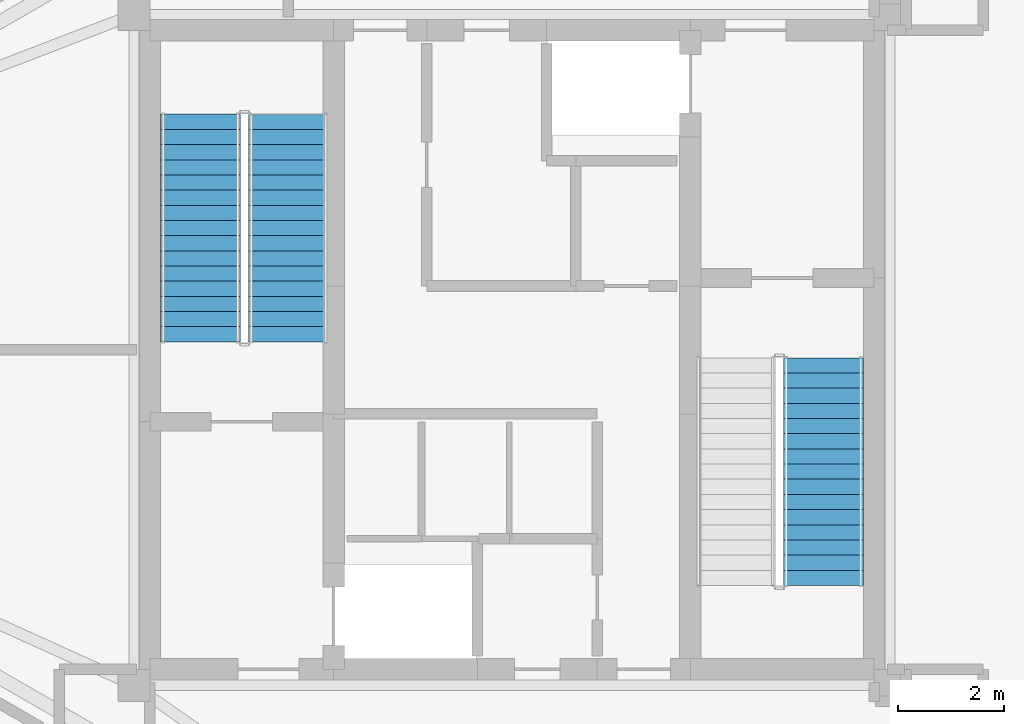
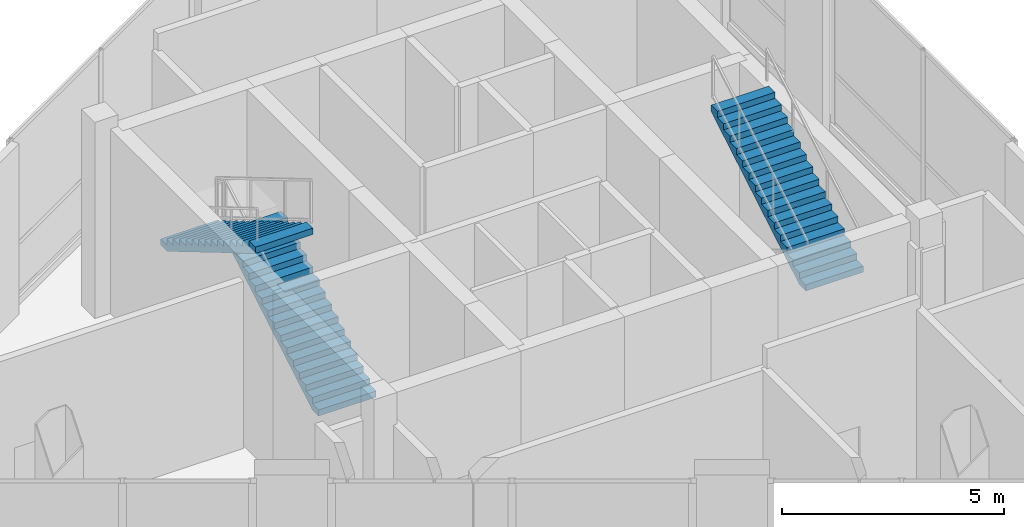
# One storey, part 12 of 13: 3 stair flights, 2 elements without a shape of their own.
"""IFC4 building model written with IfcOpenShell, lengths in metres."""

import ifcopenshell
import ifcopenshell.guid

model = None  # the IFC model being written
_history = None  # IfcOwnerHistory: only IFC2X3 demands one
_inside = {}  # id of a spatial element -> (the spatial element, [elements in it])
_under = {}  # id of a project, library or spatial element -> (it, [spatial elements below it])
_declared = {}  # id of a project -> (the project, [libraries it declares])
_typed = {}  # id of a type object -> (the type object, [elements of that type])
_made_of = {}  # id of a material, layer set ... -> (it, [elements and type objects made of it])


def new_model(schema):
    """Start an empty IFC model of exactly this schema.

    Asked for "IFC4X3", IfcOpenShell would pick the latest addendum, in which some entities
    have other attributes; the version numbers below select the first issue.
    IFC2X3 requires an IfcOwnerHistory on every rooted entity: one is made here for all.
    """
    global model, _history
    if schema == "IFC4X3":
        model = ifcopenshell.file(schema_version=(4, 3, 0, 0))
    else:
        model = ifcopenshell.file(schema=schema)
    _inside.clear()
    _under.clear()
    _declared.clear()
    _typed.clear()
    _made_of.clear()
    _history = None
    if model.schema == "IFC2X3":
        org = make("IfcOrganization", Name="unknown")
        user = make(
            "IfcPersonAndOrganization",
            ThePerson=make("IfcPerson", FamilyName="unknown"),
            TheOrganization=org,
        )
        app = make(
            "IfcApplication",
            ApplicationDeveloper=org,
            Version="unknown",
            ApplicationFullName="unknown",
            ApplicationIdentifier="unknown",
        )
        _history = make(
            "IfcOwnerHistory",
            OwningUser=user,
            OwningApplication=app,
            ChangeAction="ADDED",
            CreationDate=0,
        )
    return model


def make(cls, **values):
    """One entity of the class cls with the attributes given. An attribute that is None is left unset."""
    return model.create_entity(
        cls, **{name: value for name, value in values.items() if value is not None}
    )


def rooted(cls, **values):
    """An entity with a GlobalId (a new one), such as an element, a storey or a relation."""
    return make(cls, GlobalId=ifcopenshell.guid.new(), OwnerHistory=_history, **values)


def si_unit(unit_type, name, prefix=None):
    """IfcSIUnit, for example si_unit("LENGTHUNIT", "METRE", prefix="MILLI")."""
    return make("IfcSIUnit", UnitType=unit_type, Prefix=prefix, Name=name)


def assignment(units):
    """IfcUnitAssignment: the units of a project."""
    return None if units is None else make("IfcUnitAssignment", Units=units)


def point(xyz):
    """IfcCartesianPoint."""
    return None if xyz is None else make("IfcCartesianPoint", Coordinates=xyz)


def direction(xyz):
    """IfcDirection."""
    return None if xyz is None else make("IfcDirection", DirectionRatios=xyz)


def frame(location, z_axis=None, x_axis=None):
    """IfcAxis2Placement3D, a coordinate frame: its origin and axes. An axis left out is left unset."""
    return make(
        "IfcAxis2Placement3D",
        Location=point(location),
        Axis=direction(z_axis),
        RefDirection=direction(x_axis),
    )


def origin():
    """The frame at (0, 0, 0) with its axes left unset."""
    return frame((0.0, 0.0, 0.0))


def place(relative_to, where):
    """IfcLocalPlacement: puts the frame where relative to a parent placement (None: the world)."""
    return make(
        "IfcLocalPlacement", PlacementRelTo=relative_to, RelativePlacement=where
    )


def context(
    kind, dimensions, precision=None, world=None, true_north=None, identifier=None
):
    """IfcGeometricRepresentationContext, for example the 3D "Model" context."""
    return make(
        "IfcGeometricRepresentationContext",
        ContextIdentifier=identifier,
        ContextType=kind,
        CoordinateSpaceDimension=dimensions,
        Precision=precision,
        WorldCoordinateSystem=world,
        TrueNorth=true_north,
    )


def subcontext(parent, identifier, kind, view, scale=None):
    """IfcGeometricRepresentationSubContext, for example "Body" below "Model"."""
    return make(
        "IfcGeometricRepresentationSubContext",
        ContextIdentifier=identifier,
        ContextType=kind,
        ParentContext=parent,
        TargetScale=scale,
        TargetView=view,
    )


def project(units=None, contexts=None):
    """IfcProject with its units and contexts."""
    return rooted(
        "IfcProject",
        Name="project",
        RepresentationContexts=contexts,
        UnitsInContext=assignment(units),
    )


def spatial(cls, under=None, at=None, **own):
    """A site, building, storey or space (cls), placed at a placement, below another one or the project."""
    s = rooted(cls, ObjectPlacement=at, **own)
    if under is not None:
        _under.setdefault(under.id(), (under, []))[1].append(s)
    return s


def polyline(points):
    """IfcPolyline through the points."""
    return make("IfcPolyline", Points=[point(p) for p in points])


def outline(outer, holes=None, kind="AREA"):
    """IfcArbitraryClosedProfileDef: a profile drawn as a closed curve; with holes, ...WithVoids."""
    if holes is None:
        return make("IfcArbitraryClosedProfileDef", ProfileType=kind, OuterCurve=outer)
    return make(
        "IfcArbitraryProfileDefWithVoids",
        ProfileType=kind,
        OuterCurve=outer,
        InnerCurves=holes,
    )


def extrude(swept, where, along, depth):
    """IfcExtrudedAreaSolid: the profile swept, set in the frame where, extruded along a direction by depth."""
    return make(
        "IfcExtrudedAreaSolid",
        SweptArea=swept,
        Position=where,
        ExtrudedDirection=direction(along),
        Depth=depth,
    )


def shape(context_of_items, identifier, shape_type, items):
    """IfcShapeRepresentation: the items that make up one representation, for example the "Body"."""
    return make(
        "IfcShapeRepresentation",
        ContextOfItems=context_of_items,
        RepresentationIdentifier=identifier,
        RepresentationType=shape_type,
        Items=items,
    )


def material(Name=None, Category=None):
    """IfcMaterial."""
    return make("IfcMaterial", Name=Name, Category=Category)


def made_of(thing, what):
    """Note that an element or type object is made of a material, layer set ...; save() writes the relation."""
    if what is not None:
        _made_of.setdefault(what.id(), (what, []))[1].append(thing)
    return thing


def type_object(cls, material=None, **own):
    """A type object (cls), such as IfcWallType, which elements share."""
    return made_of(rooted(cls, **own), material)


def element(
    cls,
    number,
    at=None,
    inside=None,
    cuts=None,
    type_object=None,
    material=None,
    context=None,
    identifier="Body",
    shape_type=None,
    held_by="IfcProductDefinitionShape",
    body=None,
    shapes=None,
    **own,
):
    """One element of the class cls, such as IfcWall. Its Tag is "e" and its number.

    at: its placement. inside: the storey or other place that contains it. cuts: it is an
    opening in that element (IfcRelVoidsElement). A single representation is given by context,
    identifier, shape_type and body (its items); several are given by shapes. held_by: the class
    of the entity that holds the representations. save() writes the other relations.
    """
    e = rooted(cls, Tag="e%d" % number, ObjectPlacement=at, **own)
    if body is not None:
        shapes = [shape(context, identifier, shape_type, body)]
    if shapes is not None:
        e.Representation = make(held_by, Representations=shapes)
    if inside is not None:
        _inside.setdefault(inside.id(), (inside, []))[1].append(e)
    if cuts is not None:
        rooted(
            "IfcRelVoidsElement", RelatingBuildingElement=cuts, RelatedOpeningElement=e
        )
    if type_object is not None:
        _typed.setdefault(type_object.id(), (type_object, []))[1].append(e)
    return made_of(e, material)


def aggregate(whole, parts):
    """IfcRelAggregates: a whole, such as a stair, and the parts it consists of."""
    return rooted("IfcRelAggregates", RelatingObject=whole, RelatedObjects=parts)


def save(model, path):
    """Write the relations noted so far, then the file.

    IfcRelAggregates (storeys below a building ...), IfcRelContainedInSpatialStructure (elements
    in a storey), IfcRelDefinesByType, IfcRelAssociatesMaterial and IfcRelDeclares: one each for
    every whole, place, type object, material and project.
    """
    for whole, parts in _under.values():
        aggregate(whole, parts)
    for where, things in _inside.values():
        rooted(
            "IfcRelContainedInSpatialStructure",
            RelatedElements=things,
            RelatingStructure=where,
        )
    for kind, things in _typed.values():
        rooted("IfcRelDefinesByType", RelatedObjects=things, RelatingType=kind)
    for what, things in _made_of.values():
        rooted("IfcRelAssociatesMaterial", RelatedObjects=things, RelatingMaterial=what)
    for by, libraries in _declared.values():
        rooted("IfcRelDeclares", RelatingContext=by, RelatedDefinitions=libraries)
    model.write(path)


model = new_model("IFC4")

# Units and contexts
model_context = context("Model", 3, precision=1e-05, world=origin(), true_north=direction((0.0, 1.0)))
body_context = subcontext(model_context, "Body", "Model", "MODEL_VIEW")
ifc_project = project(units=[si_unit("LENGTHUNIT", "METRE"), si_unit("AREAUNIT", "SQUARE_METRE"), si_unit("VOLUMEUNIT", "CUBIC_METRE"), si_unit("PLANEANGLEUNIT", "RADIAN"), si_unit("MASSUNIT", "GRAM", prefix="KILO")], contexts=[model_context])

# Site, building, storey
site_placement = place(None, origin())
site = spatial("IfcSite", under=ifc_project, at=site_placement, CompositionType="ELEMENT")
building_placement = place(site_placement, origin())
building = spatial("IfcBuilding", under=site, at=building_placement, Name="Mersakhor Tower and Convention Hall", CompositionType="ELEMENT")
storey_placement = place(building_placement, frame((0.0, 0.0, 258.60009765625)))
storey = spatial("IfcBuildingStorey", under=building, at=storey_placement, Name="L72", CompositionType="ELEMENT", Elevation=258.60009765625)

# Stair, stair flights
ifc_material_1 = material(Name="Concrete C45/55", Category="concrete")
stair_type = type_object("IfcStairType", Name="ST-TWR-32R", PredefinedType="HALF_TURN_STAIR", material=ifc_material_1)
stair_1_placement = place(storey_placement, origin())
stair_1 = element("IfcStair", 1, at=stair_1_placement, inside=storey, type_object=stair_type, Name="L72 Tower Protected Exit Stair ST-1", PredefinedType="HALF_TURN_STAIR")
ifc_material_2 = material(Name="Concrete C45/55", Category="concrete")
stair_flight_type = type_object("IfcStairFlightType", Name="SFL-TWR-32R", PredefinedType="STRAIGHT", material=ifc_material_2)
stair_flight_1_placement = place(storey_placement, frame((24.800048828125, 26.89990234375, 0.0), z_axis=(0.0, 0.0, 1.0), x_axis=(0.0, 1.0, 0.0)))
stair_flight_1 = element("IfcStairFlight", 2, at=stair_flight_1_placement, type_object=stair_flight_type, Name="ST-1 flight 1", NumberOfRisers=16, NumberOfTreads=15, PredefinedType="STRAIGHT", RiserHeight=0.16875, TreadLength=0.285, context=body_context, shape_type="SweptSolid", body=[
    extrude(outline(polyline([(0.0, 0.0), (0.0, 0.168701171875), (0.284912109375, 0.168701171875), (0.284912109375, 0.33740234375), (0.570068359375, 0.33740234375), (0.570068359375, 0.50634765625), (0.85498046875, 0.50634765625), (0.85498046875, 0.675048828125), (1.139892578125, 0.675048828125), (1.139892578125, 0.84375), (1.425048828125, 0.84375), (1.425048828125, 1.012451171875), (1.7099609375, 1.012451171875), (1.7099609375, 1.18115234375), (1.9951171875, 1.18115234375), (1.9951171875, 1.35009765625), (2.280029296875, 1.35009765625), (2.280029296875, 1.518798828125), (2.56494140625, 1.518798828125), (2.56494140625, 1.6875), (2.85009765625, 1.6875), (2.85009765625, 1.856201171875), (3.135009765625, 1.856201171875), (3.135009765625, 2.02490234375), (3.419921875, 2.02490234375), (3.419921875, 2.19384765625), (3.705078125, 2.19384765625), (3.705078125, 2.362548828125), (3.989990234375, 2.362548828125), (3.989990234375, 2.53125), (4.27490234375, 2.53125), (4.27490234375, 2.699951171875), (4.27490234375, 2.35693359375), (0.294189453125, 0.0), (0.0, 0.0)])), frame((0.0, 0.75, 0.0), z_axis=(0.0, -1.0, 0.0), x_axis=(1.0, 0.0, 0.0)), (0.0, 0.0, 1.0), 1.5),
])
stair_flight_2_placement = place(storey_placement, frame((23.14990234375, 31.175048828125, 2.699951171875), z_axis=(0.0, 0.0, 1.0), x_axis=(0.0, -1.0, 0.0)))
stair_flight_2 = element("IfcStairFlight", 3, at=stair_flight_2_placement, type_object=stair_flight_type, Name="ST-1 flight 2", NumberOfRisers=16, NumberOfTreads=15, PredefinedType="STRAIGHT", RiserHeight=0.16875, TreadLength=0.285, context=body_context, shape_type="SweptSolid", body=[
    extrude(outline(polyline([(0.0, 0.0), (0.0, 0.168701171875), (0.284912109375, 0.168701171875), (0.284912109375, 0.33740234375), (0.570068359375, 0.33740234375), (0.570068359375, 0.50634765625), (0.85498046875, 0.50634765625), (0.85498046875, 0.675048828125), (1.139892578125, 0.675048828125), (1.139892578125, 0.84375), (1.425048828125, 0.84375), (1.425048828125, 1.012451171875), (1.7099609375, 1.012451171875), (1.7099609375, 1.18115234375), (1.9951171875, 1.18115234375), (1.9951171875, 1.35009765625), (2.280029296875, 1.35009765625), (2.280029296875, 1.518798828125), (2.56494140625, 1.518798828125), (2.56494140625, 1.6875), (2.85009765625, 1.6875), (2.85009765625, 1.856201171875), (3.135009765625, 1.856201171875), (3.135009765625, 2.02490234375), (3.419921875, 2.02490234375), (3.419921875, 2.19384765625), (3.705078125, 2.19384765625), (3.705078125, 2.362548828125), (3.989990234375, 2.362548828125), (3.989990234375, 2.53125), (4.27490234375, 2.53125), (4.27490234375, 2.699951171875), (4.27490234375, 2.35693359375), (0.294189453125, 0.0), (0.0, 0.0)])), frame((0.0, 0.75, 0.0), z_axis=(0.0, -1.0, 0.0), x_axis=(1.0, 0.0, 0.0)), (0.0, 0.0, 1.0), 1.5),
])
aggregate(stair_1, [stair_flight_1, stair_flight_2])

# Stair, stair flight
stair_2_placement = place(storey_placement, origin())
stair_2 = element("IfcStair", 4, at=stair_2_placement, inside=storey, type_object=stair_type, Name="L72 Tower Protected Exit Stair ST-2", PredefinedType="HALF_TURN_STAIR")
stair_flight_3_placement = place(storey_placement, frame((34.85009765625, 22.324951171875, 2.699951171875), z_axis=(0.0, 0.0, 1.0), x_axis=(0.0, 1.0, 0.0)))
stair_flight_3 = element("IfcStairFlight", 5, at=stair_flight_3_placement, type_object=stair_flight_type, Name="ST-2 flight 2", NumberOfRisers=16, NumberOfTreads=15, PredefinedType="STRAIGHT", RiserHeight=0.16875, TreadLength=0.285, context=body_context, shape_type="SweptSolid", body=[
    extrude(outline(polyline([(0.0, 0.0), (0.0, 0.168701171875), (0.284912109375, 0.168701171875), (0.284912109375, 0.33740234375), (0.570068359375, 0.33740234375), (0.570068359375, 0.50634765625), (0.85498046875, 0.50634765625), (0.85498046875, 0.675048828125), (1.139892578125, 0.675048828125), (1.139892578125, 0.84375), (1.425048828125, 0.84375), (1.425048828125, 1.012451171875), (1.7099609375, 1.012451171875), (1.7099609375, 1.18115234375), (1.9951171875, 1.18115234375), (1.9951171875, 1.35009765625), (2.280029296875, 1.35009765625), (2.280029296875, 1.518798828125), (2.56494140625, 1.518798828125), (2.56494140625, 1.6875), (2.85009765625, 1.6875), (2.85009765625, 1.856201171875), (3.135009765625, 1.856201171875), (3.135009765625, 2.02490234375), (3.419921875, 2.02490234375), (3.419921875, 2.19384765625), (3.705078125, 2.19384765625), (3.705078125, 2.362548828125), (3.989990234375, 2.362548828125), (3.989990234375, 2.53125), (4.27490234375, 2.53125), (4.27490234375, 2.699951171875), (4.27490234375, 2.35693359375), (0.294189453125, 0.0), (0.0, 0.0)])), frame((0.0, 0.75, 0.0), z_axis=(0.0, -1.0, 0.0), x_axis=(1.0, 0.0, 0.0)), (0.0, 0.0, 1.0), 1.5),
])
aggregate(stair_2, [stair_flight_3])

save(model, "model.ifc")
